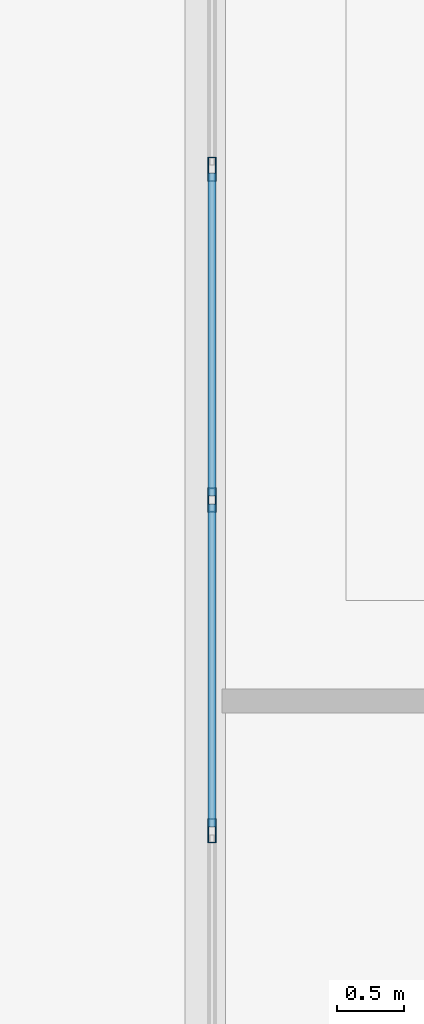
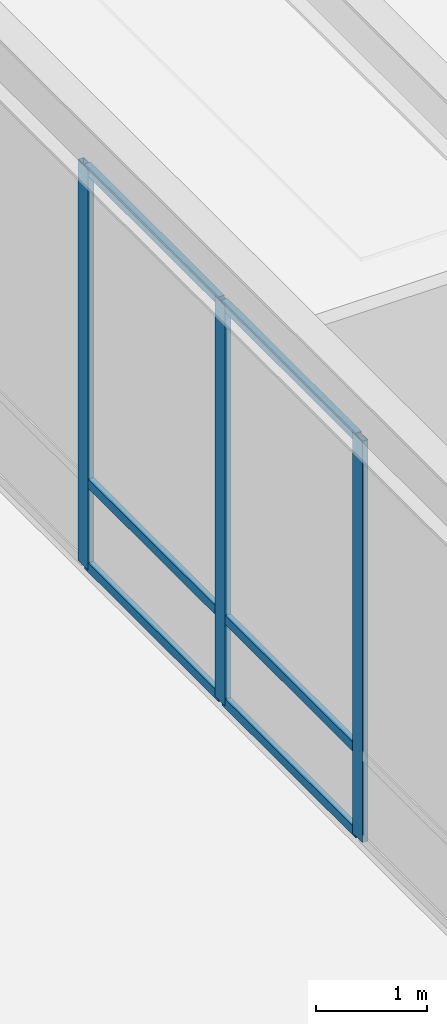
# One storey, part 80 of 143: 9 members, 1 element without a shape of its own.
"""IFC4 building model written with IfcOpenShell, lengths in metres."""

from ifc_helpers import new_model, si_unit, direction, frame, origin, origin_2d, place, context, subcontext, project, spatial, hollow_rectangle, extrude, material, layer, layer_set, material_profile, profile_set, type_object, element, aggregate, save


model = new_model("IFC4")

# Units and contexts
model_context = context("Model", 3, precision=1e-05, world=origin(), true_north=direction((0.0, 1.0)))
body_context = subcontext(model_context, "Body", "Model", "MODEL_VIEW")
ifc_project = project(units=[si_unit("LENGTHUNIT", "METRE"), si_unit("AREAUNIT", "SQUARE_METRE"), si_unit("VOLUMEUNIT", "CUBIC_METRE"), si_unit("PLANEANGLEUNIT", "RADIAN"), si_unit("MASSUNIT", "GRAM", prefix="KILO")], contexts=[model_context])

# Site, building, storey
site_placement = place(None, origin())
site = spatial("IfcSite", under=ifc_project, at=site_placement, CompositionType="ELEMENT")
building_placement = place(site_placement, origin())
building = spatial("IfcBuilding", under=site, at=building_placement, Name="Montelvaro Courts of Justice", CompositionType="ELEMENT")
storey_placement = place(building_placement, origin())
storey = spatial("IfcBuildingStorey", under=building, at=storey_placement, Name="L00", CompositionType="ELEMENT", Elevation=0.0)

# Curtain wall, members
ifc_material = material(Name="Anodised aluminium EN AW-6063", Category="aluminium")
ifc_layer = layer(ifc_material, 0.159912109375)
ifc_layer_set = layer_set([ifc_layer], Name="Anodised aluminium EN AW-6063")
curtain_wall_type = type_object("IfcCurtainWallType", Name="CurtainWall_02_1727x508", PredefinedType="USERDEFINED", material=ifc_layer_set)
curtain_wall_placement = place(storey_placement, origin())
curtain_wall = element("IfcCurtainWall", 1, at=curtain_wall_placement, inside=storey, type_object=curtain_wall_type, Name="Curtain Wall CW-02 (L00)", ObjectType="CURTAIN WALL", PredefinedType="USERDEFINED")
ifc_material_profile_1 = material_profile(ifc_material, hollow_rectangle(XDim=0.06005859375, YDim=0.179931640625, WallThickness=0.00439453125, at=origin_2d()), Name="ALU-M 60x180")
ifc_profile_set_1 = profile_set([ifc_material_profile_1], Name="Anodised aluminium EN AW-6063")
member_type_1 = type_object("IfcMemberType", Name="CurtainWall_Mullion_60x180", PredefinedType="MULLION", material=ifc_profile_set_1)
member_1_placement = place(storey_placement, frame((99.050048828125, 85.766357421875, 0.0), z_axis=(0.0, 0.0, 1.0), x_axis=(1.0, 0.0, 0.0)))
member_1 = element("IfcMember", 2, at=member_1_placement, type_object=member_type_1, Name="CW-02 mullion 5", PredefinedType="MULLION", context=body_context, shape_type="SweptSolid", body=[
    extrude(hollow_rectangle(XDim=0.06005859375, YDim=0.179931640625, WallThickness=0.00439453125, at=origin_2d()), origin(), (0.0, 0.0, 1.0), 4.405029296875),
])
member_2_placement = place(storey_placement, frame((99.050048828125, 83.29931640625, 0.0), z_axis=(0.0, 0.0, 1.0), x_axis=(1.0, 0.0, 0.0)))
member_2 = element("IfcMember", 3, at=member_2_placement, type_object=member_type_1, Name="CW-02 mullion 6", PredefinedType="MULLION", context=body_context, shape_type="SweptSolid", body=[
    extrude(hollow_rectangle(XDim=0.06005859375, YDim=0.179931640625, WallThickness=0.00439453125, at=origin_2d()), origin(), (0.0, 0.0, 1.0), 4.405029296875),
])
member_3_placement = place(storey_placement, frame((99.050048828125, 80.83203125, 0.0), z_axis=(0.0, 0.0, 1.0), x_axis=(1.0, 0.0, 0.0)))
member_3 = element("IfcMember", 4, at=member_3_placement, type_object=member_type_1, Name="CW-02 mullion 7", PredefinedType="MULLION", context=body_context, shape_type="SweptSolid", body=[
    extrude(hollow_rectangle(XDim=0.06005859375, YDim=0.179931640625, WallThickness=0.00439453125, at=origin_2d()), origin(), (0.0, 0.0, 1.0), 4.405029296875),
])
ifc_material_profile_2 = material_profile(ifc_material, hollow_rectangle(XDim=0.06005859375, YDim=0.10009765625, WallThickness=0.00341796875, at=origin_2d()), Name="ALU-T 60x100")
ifc_profile_set_2 = profile_set([ifc_material_profile_2], Name="Anodised aluminium EN AW-6063")
member_type_2 = type_object("IfcMemberType", Name="CurtainWall_Transom_60x100", PredefinedType="USERDEFINED", material=ifc_profile_set_2)
member_4_placement = place(storey_placement, frame((99.050048828125, 85.736328125, 0.030029296875), z_axis=(0.0, -1.0, 0.0), x_axis=(1.0, 0.0, 0.0)))
member_4 = element("IfcMember", 5, at=member_4_placement, type_object=member_type_2, Name="CW-02 transom 5.1", ObjectType="TRANSOM", PredefinedType="USERDEFINED", context=body_context, shape_type="SweptSolid", body=[
    extrude(hollow_rectangle(XDim=0.06005859375, YDim=0.10009765625, WallThickness=0.00341796875, at=origin_2d()), origin(), (0.0, 0.0, 1.0), 2.406982421875),
])
member_5_placement = place(storey_placement, frame((99.050048828125, 85.736328125, 0.949951171875), z_axis=(0.0, -1.0, 0.0), x_axis=(1.0, 0.0, 0.0)))
member_5 = element("IfcMember", 6, at=member_5_placement, type_object=member_type_2, Name="CW-02 transom 5.2", ObjectType="TRANSOM", PredefinedType="USERDEFINED", context=body_context, shape_type="SweptSolid", body=[
    extrude(hollow_rectangle(XDim=0.06005859375, YDim=0.10009765625, WallThickness=0.00341796875, at=origin_2d()), origin(), (0.0, 0.0, 1.0), 2.406982421875),
])
member_6_placement = place(storey_placement, frame((99.050048828125, 85.736328125, 4.375), z_axis=(0.0, -1.0, 0.0), x_axis=(1.0, 0.0, 0.0)))
member_6 = element("IfcMember", 7, at=member_6_placement, type_object=member_type_2, Name="CW-02 transom 5.3", ObjectType="TRANSOM", PredefinedType="USERDEFINED", context=body_context, shape_type="SweptSolid", body=[
    extrude(hollow_rectangle(XDim=0.06005859375, YDim=0.10009765625, WallThickness=0.00341796875, at=origin_2d()), origin(), (0.0, 0.0, 1.0), 2.406982421875),
])
member_7_placement = place(storey_placement, frame((99.050048828125, 83.269287109375, 0.030029296875), z_axis=(0.0, -1.0, 0.0), x_axis=(1.0, 0.0, 0.0)))
member_7 = element("IfcMember", 8, at=member_7_placement, type_object=member_type_2, Name="CW-02 transom 6.1", ObjectType="TRANSOM", PredefinedType="USERDEFINED", context=body_context, shape_type="SweptSolid", body=[
    extrude(hollow_rectangle(XDim=0.06005859375, YDim=0.10009765625, WallThickness=0.00341796875, at=origin_2d()), origin(), (0.0, 0.0, 1.0), 2.4072265625),
])
member_8_placement = place(storey_placement, frame((99.050048828125, 83.269287109375, 0.949951171875), z_axis=(0.0, -1.0, 0.0), x_axis=(1.0, 0.0, 0.0)))
member_8 = element("IfcMember", 9, at=member_8_placement, type_object=member_type_2, Name="CW-02 transom 6.2", ObjectType="TRANSOM", PredefinedType="USERDEFINED", context=body_context, shape_type="SweptSolid", body=[
    extrude(hollow_rectangle(XDim=0.06005859375, YDim=0.10009765625, WallThickness=0.00341796875, at=origin_2d()), origin(), (0.0, 0.0, 1.0), 2.4072265625),
])
member_9_placement = place(storey_placement, frame((99.050048828125, 83.269287109375, 4.375), z_axis=(0.0, -1.0, 0.0), x_axis=(1.0, 0.0, 0.0)))
member_9 = element("IfcMember", 10, at=member_9_placement, type_object=member_type_2, Name="CW-02 transom 6.3", ObjectType="TRANSOM", PredefinedType="USERDEFINED", context=body_context, shape_type="SweptSolid", body=[
    extrude(hollow_rectangle(XDim=0.06005859375, YDim=0.10009765625, WallThickness=0.00341796875, at=origin_2d()), origin(), (0.0, 0.0, 1.0), 2.4072265625),
])
aggregate(curtain_wall, [member_1, member_2, member_3, member_4, member_5, member_6, member_7, member_8, member_9])

save(model, "model.ifc")
